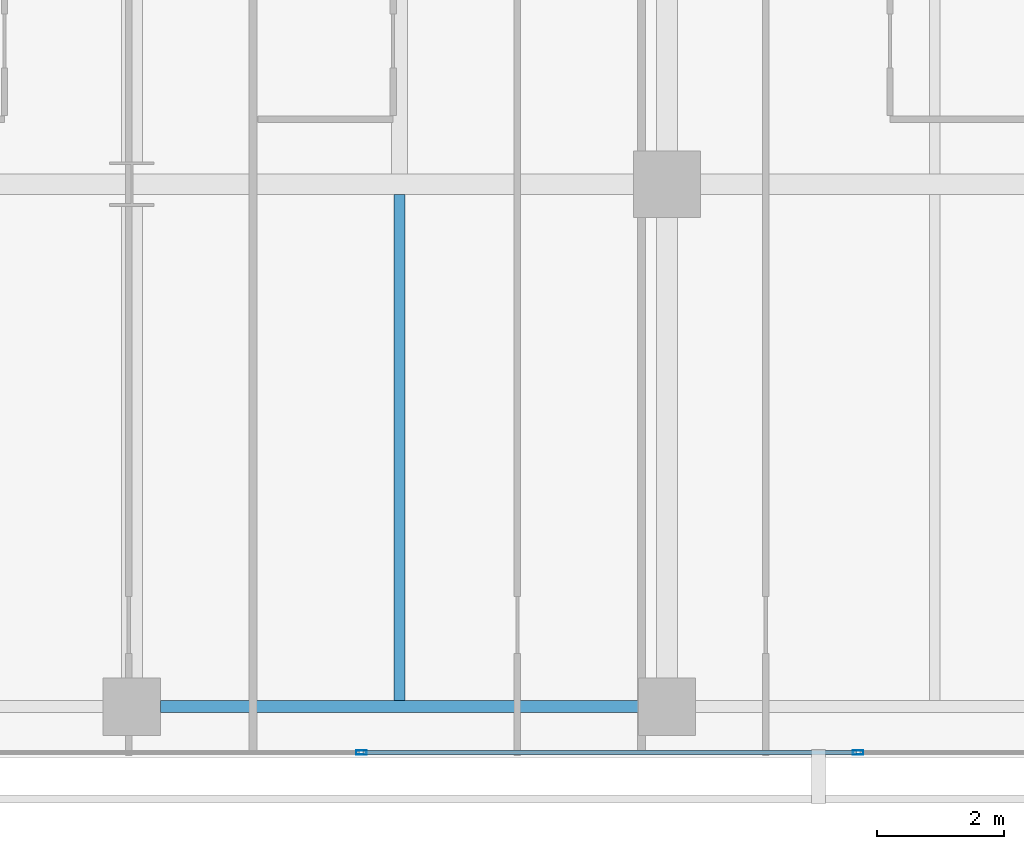
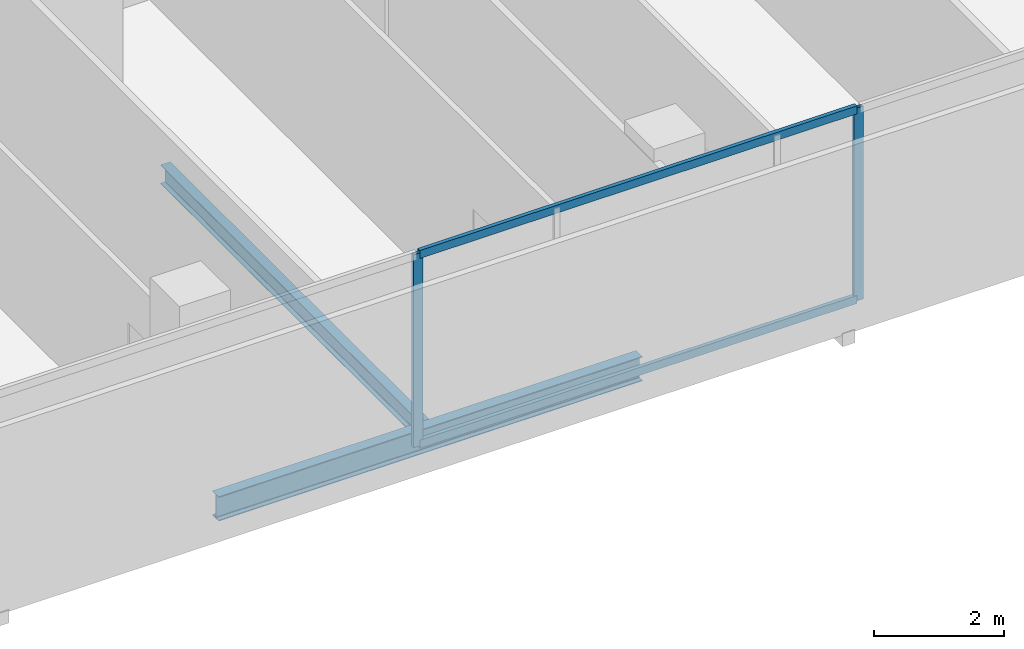
# One storey, part 14 of 40: 4 members, 2 beams, 1 element without a shape of its own.
"""IFC4 building model written with IfcOpenShell, lengths in metres."""

from ifc_helpers import new_model, si_unit, direction, frame, origin, origin_2d, place, context, subcontext, project, spatial, hollow_rectangle, i_section, extrude, material, layer, layer_set, material_profile, profile_set, type_object, element, aggregate, save


model = new_model("IFC4")

# Units and contexts
model_context = context("Model", 3, precision=1e-05, world=origin(), true_north=direction((0.0, 1.0)))
body_context = subcontext(model_context, "Body", "Model", "MODEL_VIEW")
ifc_project = project(units=[si_unit("LENGTHUNIT", "METRE"), si_unit("AREAUNIT", "SQUARE_METRE"), si_unit("VOLUMEUNIT", "CUBIC_METRE"), si_unit("PLANEANGLEUNIT", "RADIAN"), si_unit("MASSUNIT", "GRAM", prefix="KILO")], contexts=[model_context])

# Site, building, storey
site_placement = place(None, origin())
site = spatial("IfcSite", under=ifc_project, at=site_placement, CompositionType="ELEMENT")
building_placement = place(site_placement, origin())
building = spatial("IfcBuilding", under=site, at=building_placement, Name="Maruvema Waterfront Hotel and Observation Tower", CompositionType="ELEMENT")
storey_placement = place(building_placement, frame((0.0, 0.0, 38.5)))
storey = spatial("IfcBuildingStorey", under=building, at=storey_placement, Name="L08", CompositionType="ELEMENT", Elevation=38.5)

# Curtain wall, members
ifc_material_1 = material(Name="Anodised bronze aluminium and solar-control low-E IGU", Category="aluminium")
ifc_layer = layer(ifc_material_1, 0.159912109375, Name="Zone 1 Bronze Inner Thermal Curtain Wall System CW-02")
ifc_layer_set = layer_set([ifc_layer], Name="Anodised bronze aluminium and solar-control low-E IGU")
curtain_wall_type = type_object("IfcCurtainWallType", Name="Zone 1 Bronze Inner Thermal Curtain Wall System CW-02", PredefinedType="USERDEFINED", material=ifc_layer_set)
curtain_wall_placement = place(storey_placement, origin())
curtain_wall = element("IfcCurtainWall", 1, at=curtain_wall_placement, inside=storey, type_object=curtain_wall_type, Name="L08 Curtain Wall CW-L08-S", ObjectType="UNITISED CURTAIN WALL", PredefinedType="USERDEFINED")
ifc_material_2 = material(Name="Anodised architectural bronze aluminium", Category="aluminium")
ifc_material_profile_1 = material_profile(ifc_material_2, hollow_rectangle(XDim=0.070068359375, YDim=0.14990234375, WallThickness=0.00390625, at=origin_2d()), Name="ALU-T70x150")
ifc_profile_set_1 = profile_set([ifc_material_profile_1], Name="Anodised architectural bronze aluminium")
member_type_1 = type_object("IfcMemberType", Name="Curtain Wall Horizontal Transom ALU-T70x150", PredefinedType="USERDEFINED", material=ifc_profile_set_1)
member_1_placement = place(storey_placement, frame((45.6298828125, 0.080078125, 0.030029296875), z_axis=(1.0, 0.0, 0.0), x_axis=(0.0, 1.0, 0.0)))
member_1 = element("IfcMember", 2, at=member_1_placement, type_object=member_type_1, Name="CW-02 transom 5.1", ObjectType="TRANSOM", PredefinedType="USERDEFINED", context=body_context, shape_type="SweptSolid", body=[
    extrude(hollow_rectangle(XDim=0.070068359375, YDim=0.14990234375, WallThickness=0.00390625, at=origin_2d()), origin(), (0.0, 0.0, 1.0), 7.740234375),
])
member_2_placement = place(storey_placement, frame((45.6298828125, 0.080078125, 3.580078125), z_axis=(1.0, 0.0, 0.0), x_axis=(0.0, 1.0, 0.0)))
member_2 = element("IfcMember", 3, at=member_2_placement, type_object=member_type_1, Name="CW-02 transom 5.2", ObjectType="TRANSOM", PredefinedType="USERDEFINED", context=body_context, shape_type="SweptSolid", body=[
    extrude(hollow_rectangle(XDim=0.070068359375, YDim=0.14990234375, WallThickness=0.00390625, at=origin_2d()), origin(), (0.0, 0.0, 1.0), 7.740234375),
])
ifc_material_3 = material(Name="Anodised architectural bronze aluminium", Category="aluminium")
ifc_material_profile_2 = material_profile(ifc_material_3, hollow_rectangle(XDim=0.06494140625, YDim=0.1650390625, WallThickness=0.00390625, at=origin_2d()), Name="ALU-M65x165")
ifc_profile_set_2 = profile_set([ifc_material_profile_2], Name="Anodised architectural bronze aluminium")
member_type_2 = type_object("IfcMemberType", Name="Curtain Wall Primary Mullion ALU-M65x165", PredefinedType="MULLION", material=ifc_profile_set_2)
member_3_placement = place(storey_placement, frame((45.60009765625, 0.080078125, 0.0), z_axis=(0.0, 0.0, 1.0), x_axis=(0.0, 1.0, 0.0)))
member_3 = element("IfcMember", 4, at=member_3_placement, type_object=member_type_2, Name="CW-02 mullion 5", PredefinedType="MULLION", context=body_context, shape_type="SweptSolid", body=[
    extrude(hollow_rectangle(XDim=0.06494140625, YDim=0.1650390625, WallThickness=0.00390625, at=origin_2d()), origin(), (0.0, 0.0, 1.0), 3.610107421875),
])
member_4_placement = place(storey_placement, frame((53.39990234375, 0.080078125, 0.0), z_axis=(0.0, 0.0, 1.0), x_axis=(0.0, 1.0, 0.0)))
member_4 = element("IfcMember", 5, at=member_4_placement, type_object=member_type_2, Name="CW-02 mullion 6", PredefinedType="MULLION", context=body_context, shape_type="SweptSolid", body=[
    extrude(hollow_rectangle(XDim=0.06494140625, YDim=0.1650390625, WallThickness=0.00390625, at=origin_2d()), origin(), (0.0, 0.0, 1.0), 3.610107421875),
])
aggregate(curtain_wall, [member_3, member_4, member_1, member_2])

# Beams
ifc_material_4 = material(Name="Steel ASTM A572 Grade 50", Category="steel")
ifc_material_profile_3 = material_profile(ifc_material_4, i_section(OverallWidth=0.18994140625, OverallDepth=0.45703125, WebThickness=0.009033203125, FlangeThickness=0.014404296875, FilletRadius=0.014892578125, at=origin_2d()), Name="W460x74.0")
ifc_profile_set_3 = profile_set([ifc_material_profile_3], Name="Steel ASTM A572 Grade 50")
beam_type_1 = type_object("IfcBeamType", Name="Perimeter Spandrel Beam W460x74.0", PredefinedType="SPANDREL", material=ifc_profile_set_3)
beam_1_placement = place(storey_placement, frame((42.449951171875, 0.800048828125, -0.468505859375), z_axis=(1.0, 0.0, 0.0), x_axis=(0.0, 1.0, 0.0)))
element("IfcBeam", 6, at=beam_1_placement, inside=storey, type_object=beam_type_1, Name="L08 Floor Girder EW-04", PredefinedType="SPANDREL", context=body_context, shape_type="SweptSolid", body=[
    extrude(i_section(OverallWidth=0.18994140625, OverallDepth=0.45703125, WebThickness=0.009033203125, FlangeThickness=0.014404296875, FilletRadius=0.014892578125, at=origin_2d()), origin(), (0.0, 0.0, 1.0), 7.5),
])
ifc_material_5 = material(Name="Steel ASTM A572 Grade 50", Category="steel")
ifc_material_profile_4 = material_profile(ifc_material_5, i_section(OverallWidth=0.1708984375, OverallDepth=0.35498046875, WebThickness=0.007080078125, FlangeThickness=0.01171875, FilletRadius=0.014892578125, at=origin_2d()), Name="W360x51.0")
ifc_profile_set_4 = profile_set([ifc_material_profile_4], Name="Steel ASTM A572 Grade 50")
beam_type_2 = type_object("IfcBeamType", Name="Secondary Floor Joist W360x51.0", PredefinedType="JOIST", material=ifc_profile_set_4)
beam_2_placement = place(storey_placement, frame((46.199951171875, 0.89501953125, -0.41748046875), z_axis=(0.0, 1.0, 0.0), x_axis=(-1.0, 0.0, 0.0)))
element("IfcBeam", 7, at=beam_2_placement, inside=storey, type_object=beam_type_2, Name="L08 Secondary Floor Joist JS-14", PredefinedType="JOIST", context=body_context, shape_type="SweptSolid", body=[
    extrude(i_section(OverallWidth=0.1708984375, OverallDepth=0.35498046875, WebThickness=0.007080078125, FlangeThickness=0.01171875, FilletRadius=0.014892578125, at=origin_2d()), origin(), (0.0, 0.0, 1.0), 7.94140625),
])

save(model, "model.ifc")
